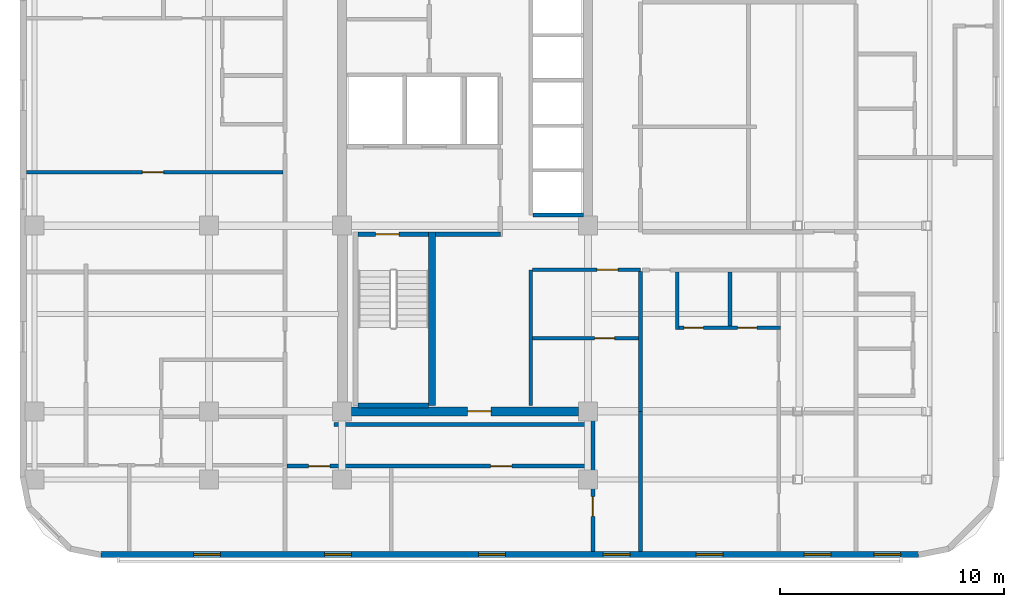
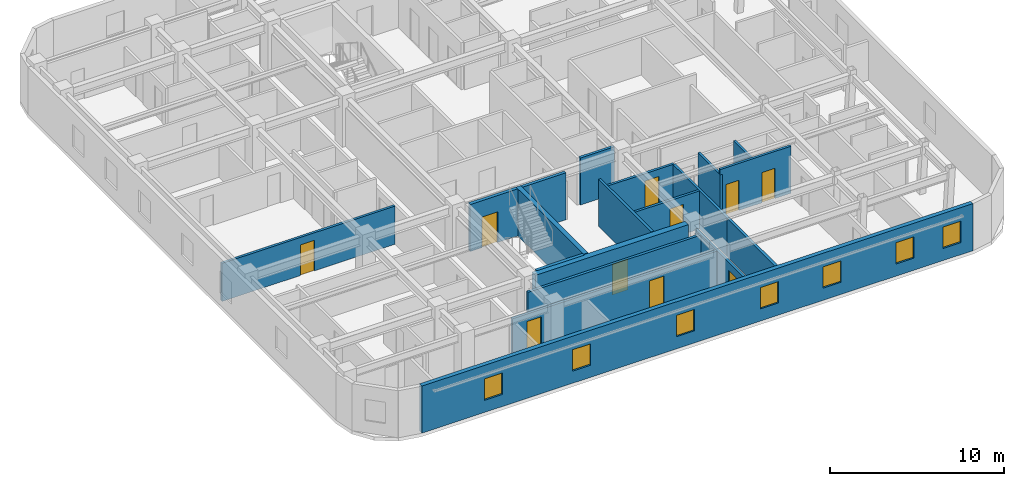
# One storey, part 3 of 11: 19 walls, 10 doors, 7 windows, 17 openings.
"""IFC4 building model written with IfcOpenShell, lengths in metres."""

import ifcopenshell
import ifcopenshell.guid

model = None  # the IFC model being written
_history = None  # IfcOwnerHistory: only IFC2X3 demands one
_inside = {}  # id of a spatial element -> (the spatial element, [elements in it])
_under = {}  # id of a project, library or spatial element -> (it, [spatial elements below it])
_declared = {}  # id of a project -> (the project, [libraries it declares])
_typed = {}  # id of a type object -> (the type object, [elements of that type])
_made_of = {}  # id of a material, layer set ... -> (it, [elements and type objects made of it])


def new_model(schema):
    """Start an empty IFC model of exactly this schema.

    Asked for "IFC4X3", IfcOpenShell would pick the latest addendum, in which some entities
    have other attributes; the version numbers below select the first issue.
    IFC2X3 requires an IfcOwnerHistory on every rooted entity: one is made here for all.
    """
    global model, _history
    if schema == "IFC4X3":
        model = ifcopenshell.file(schema_version=(4, 3, 0, 0))
    else:
        model = ifcopenshell.file(schema=schema)
    _inside.clear()
    _under.clear()
    _declared.clear()
    _typed.clear()
    _made_of.clear()
    _history = None
    if model.schema == "IFC2X3":
        org = make("IfcOrganization", Name="unknown")
        user = make(
            "IfcPersonAndOrganization",
            ThePerson=make("IfcPerson", FamilyName="unknown"),
            TheOrganization=org,
        )
        app = make(
            "IfcApplication",
            ApplicationDeveloper=org,
            Version="unknown",
            ApplicationFullName="unknown",
            ApplicationIdentifier="unknown",
        )
        _history = make(
            "IfcOwnerHistory",
            OwningUser=user,
            OwningApplication=app,
            ChangeAction="ADDED",
            CreationDate=0,
        )
    return model


def make(cls, **values):
    """One entity of the class cls with the attributes given. An attribute that is None is left unset."""
    return model.create_entity(
        cls, **{name: value for name, value in values.items() if value is not None}
    )


def rooted(cls, **values):
    """An entity with a GlobalId (a new one), such as an element, a storey or a relation."""
    return make(cls, GlobalId=ifcopenshell.guid.new(), OwnerHistory=_history, **values)


def si_unit(unit_type, name, prefix=None):
    """IfcSIUnit, for example si_unit("LENGTHUNIT", "METRE", prefix="MILLI")."""
    return make("IfcSIUnit", UnitType=unit_type, Prefix=prefix, Name=name)


def assignment(units):
    """IfcUnitAssignment: the units of a project."""
    return None if units is None else make("IfcUnitAssignment", Units=units)


def point(xyz):
    """IfcCartesianPoint."""
    return None if xyz is None else make("IfcCartesianPoint", Coordinates=xyz)


def direction(xyz):
    """IfcDirection."""
    return None if xyz is None else make("IfcDirection", DirectionRatios=xyz)


def frame(location, z_axis=None, x_axis=None):
    """IfcAxis2Placement3D, a coordinate frame: its origin and axes. An axis left out is left unset."""
    return make(
        "IfcAxis2Placement3D",
        Location=point(location),
        Axis=direction(z_axis),
        RefDirection=direction(x_axis),
    )


def frame_2d(location, x_axis=None):
    """IfcAxis2Placement2D, a coordinate frame in the plane: its origin and x axis."""
    return make(
        "IfcAxis2Placement2D", Location=point(location), RefDirection=direction(x_axis)
    )


def origin():
    """The frame at (0, 0, 0) with its axes left unset."""
    return frame((0.0, 0.0, 0.0))


def place(relative_to, where):
    """IfcLocalPlacement: puts the frame where relative to a parent placement (None: the world)."""
    return make(
        "IfcLocalPlacement", PlacementRelTo=relative_to, RelativePlacement=where
    )


def context(
    kind, dimensions, precision=None, world=None, true_north=None, identifier=None
):
    """IfcGeometricRepresentationContext, for example the 3D "Model" context."""
    return make(
        "IfcGeometricRepresentationContext",
        ContextIdentifier=identifier,
        ContextType=kind,
        CoordinateSpaceDimension=dimensions,
        Precision=precision,
        WorldCoordinateSystem=world,
        TrueNorth=true_north,
    )


def subcontext(parent, identifier, kind, view, scale=None):
    """IfcGeometricRepresentationSubContext, for example "Body" below "Model"."""
    return make(
        "IfcGeometricRepresentationSubContext",
        ContextIdentifier=identifier,
        ContextType=kind,
        ParentContext=parent,
        TargetScale=scale,
        TargetView=view,
    )


def project(units=None, contexts=None):
    """IfcProject with its units and contexts."""
    return rooted(
        "IfcProject",
        Name="project",
        RepresentationContexts=contexts,
        UnitsInContext=assignment(units),
    )


def spatial(cls, under=None, at=None, **own):
    """A site, building, storey or space (cls), placed at a placement, below another one or the project."""
    s = rooted(cls, ObjectPlacement=at, **own)
    if under is not None:
        _under.setdefault(under.id(), (under, []))[1].append(s)
    return s


def profile(cls, at=None, kind="AREA", **sizes):
    """A parametric profile (cls). Its sizes go by their IFC names, for example OverallWidth=200.0."""
    return make(cls, ProfileType=kind, Position=at, **sizes)


def rectangle(**sizes):
    """IfcRectangleProfileDef."""
    return profile("IfcRectangleProfileDef", **sizes)


def extrude(swept, where, along, depth):
    """IfcExtrudedAreaSolid: the profile swept, set in the frame where, extruded along a direction by depth."""
    return make(
        "IfcExtrudedAreaSolid",
        SweptArea=swept,
        Position=where,
        ExtrudedDirection=direction(along),
        Depth=depth,
    )


def shape(context_of_items, identifier, shape_type, items):
    """IfcShapeRepresentation: the items that make up one representation, for example the "Body"."""
    return make(
        "IfcShapeRepresentation",
        ContextOfItems=context_of_items,
        RepresentationIdentifier=identifier,
        RepresentationType=shape_type,
        Items=items,
    )


def material(Name=None, Category=None):
    """IfcMaterial."""
    return make("IfcMaterial", Name=Name, Category=Category)


def layer(
    of_material, thickness, ventilated=None, Name=None, Category=None, Priority=None
):
    """IfcMaterialLayer: one layer of a wall or slab, of a material (None: an air gap)."""
    return make(
        "IfcMaterialLayer",
        Material=of_material,
        LayerThickness=thickness,
        IsVentilated=ventilated,
        Name=Name,
        Category=Category,
        Priority=Priority,
    )


def layer_set(layers, Name=None):
    """IfcMaterialLayerSet."""
    return make("IfcMaterialLayerSet", MaterialLayers=layers, LayerSetName=Name)


def made_of(thing, what):
    """Note that an element or type object is made of a material, layer set ...; save() writes the relation."""
    if what is not None:
        _made_of.setdefault(what.id(), (what, []))[1].append(thing)
    return thing


def type_object(cls, material=None, **own):
    """A type object (cls), such as IfcWallType, which elements share."""
    return made_of(rooted(cls, **own), material)


def element(
    cls,
    number,
    at=None,
    inside=None,
    cuts=None,
    type_object=None,
    material=None,
    context=None,
    identifier="Body",
    shape_type=None,
    held_by="IfcProductDefinitionShape",
    body=None,
    shapes=None,
    **own,
):
    """One element of the class cls, such as IfcWall. Its Tag is "e" and its number.

    at: its placement. inside: the storey or other place that contains it. cuts: it is an
    opening in that element (IfcRelVoidsElement). A single representation is given by context,
    identifier, shape_type and body (its items); several are given by shapes. held_by: the class
    of the entity that holds the representations. save() writes the other relations.
    """
    e = rooted(cls, Tag="e%d" % number, ObjectPlacement=at, **own)
    if body is not None:
        shapes = [shape(context, identifier, shape_type, body)]
    if shapes is not None:
        e.Representation = make(held_by, Representations=shapes)
    if inside is not None:
        _inside.setdefault(inside.id(), (inside, []))[1].append(e)
    if cuts is not None:
        rooted(
            "IfcRelVoidsElement", RelatingBuildingElement=cuts, RelatedOpeningElement=e
        )
    if type_object is not None:
        _typed.setdefault(type_object.id(), (type_object, []))[1].append(e)
    return made_of(e, material)


def fill(opening, filler):
    """IfcRelFillsElement: the door or window that sits in an opening."""
    return rooted(
        "IfcRelFillsElement",
        RelatingOpeningElement=opening,
        RelatedBuildingElement=filler,
    )


def aggregate(whole, parts):
    """IfcRelAggregates: a whole, such as a stair, and the parts it consists of."""
    return rooted("IfcRelAggregates", RelatingObject=whole, RelatedObjects=parts)


def save(model, path):
    """Write the relations noted so far, then the file.

    IfcRelAggregates (storeys below a building ...), IfcRelContainedInSpatialStructure (elements
    in a storey), IfcRelDefinesByType, IfcRelAssociatesMaterial and IfcRelDeclares: one each for
    every whole, place, type object, material and project.
    """
    for whole, parts in _under.values():
        aggregate(whole, parts)
    for where, things in _inside.values():
        rooted(
            "IfcRelContainedInSpatialStructure",
            RelatedElements=things,
            RelatingStructure=where,
        )
    for kind, things in _typed.values():
        rooted("IfcRelDefinesByType", RelatedObjects=things, RelatingType=kind)
    for what, things in _made_of.values():
        rooted("IfcRelAssociatesMaterial", RelatedObjects=things, RelatingMaterial=what)
    for by, libraries in _declared.values():
        rooted("IfcRelDeclares", RelatingContext=by, RelatedDefinitions=libraries)
    model.write(path)


model = new_model("IFC4")

# Units and contexts
model_context = context("Model", 3, precision=1e-05, world=origin(), true_north=direction((0.0, 1.0)))
body_context = subcontext(model_context, "Body", "Model", "MODEL_VIEW")
ifc_project = project(units=[si_unit("LENGTHUNIT", "METRE"), si_unit("AREAUNIT", "SQUARE_METRE"), si_unit("VOLUMEUNIT", "CUBIC_METRE"), si_unit("PLANEANGLEUNIT", "RADIAN"), si_unit("MASSUNIT", "GRAM", prefix="KILO")], contexts=[model_context])

# Site, building, storey
site_placement = place(None, origin())
site = spatial("IfcSite", under=ifc_project, at=site_placement, CompositionType="ELEMENT")
building_placement = place(site_placement, origin())
building = spatial("IfcBuilding", under=site, at=building_placement, Name="Ochreholt Gables", CompositionType="ELEMENT")
storey_placement = place(building_placement, frame((0.0, 0.0, 132.0)))
storey = spatial("IfcBuildingStorey", under=building, at=storey_placement, Name="L34", CompositionType="ELEMENT", Elevation=132.0)

# Wall, opening, door
ifc_material_1 = material(Name="Concrete 60 MPa", Category="concrete")
ifc_layer_1 = layer(ifc_material_1, 0.39990234375, Name="Concrete 60 MPa")
ifc_layer_set_1 = layer_set([ifc_layer_1], Name="Concrete 60 MPa")
wall_type_1 = type_object("IfcWallType", Name="WALL-CSW-400", PredefinedType="SHEAR", material=ifc_layer_set_1)
wall_1_placement = place(storey_placement, frame((24.625, 9.25, 0.0), z_axis=(0.0, 0.0, 1.0), x_axis=(1.0, 0.0, 0.0)))
wall_1 = element("IfcWall", 1, at=wall_1_placement, inside=storey, type_object=wall_type_1, Name="L34 Core South Shear Wall", PredefinedType="SHEAR", context=body_context, shape_type="SweptSolid", body=[
    extrude(rectangle(XDim=10.14990234375, YDim=0.39990234375, at=frame_2d((5.074951171875, 0.0))), origin(), (0.0, 0.0, 1.0), 3.300048828125),
])
opening_1_placement = place(wall_1_placement, frame((5.199951171875, 0.0, 0.0)))
opening_1 = element("IfcOpeningElement", 2, at=opening_1_placement, cuts=wall_1, Name="Opening D-FLB", PredefinedType="OPENING", context=body_context, shape_type="SweptSolid", body=[
    extrude(rectangle(XDim=1.050048828125, YDim=2.14990234375, at=frame_2d((0.52490234375, 1.074951171875))), frame((0.0, 0.2099609375, 0.0), z_axis=(0.0, -1.0, 0.0), x_axis=(1.0, 0.0, 0.0)), (0.0, 0.0, 1.0), 0.419921875),
])
ifc_material_2 = material(Name="Hollow Metal Steel", Category="steel")
door_type_1 = type_object("IfcDoorType", Name="DR-INT-FLB1050", OperationType="NOTDEFINED", PredefinedType="DOOR", material=ifc_material_2)
door_1_placement = place(opening_1_placement, origin())
door_1 = element("IfcDoor", 3, at=door_1_placement, inside=storey, type_object=door_type_1, Name="L34 Door D-C2CRS-L34", OperationType="SINGLE_SWING_LEFT", OverallHeight=2.14990234375, OverallWidth=1.050048828125, PredefinedType="DOOR", context=body_context, shape_type="SweptSolid", body=[
    extrude(rectangle(XDim=1.050048828125, YDim=2.14990234375, at=frame_2d((0.52490234375, 1.074951171875))), frame((0.0, 0.02490234375, 0.0), z_axis=(0.0, -1.0, 0.0), x_axis=(1.0, 0.0, 0.0)), (0.0, 0.0, 1.0), 0.050048828125),
])
fill(opening_1, door_1)

# Wall, openings, windows
ifc_material_3 = material(Name="Precast concrete 40 MPa", Category="concrete")
ifc_layer_2 = layer(ifc_material_3, 0.280029296875, Name="Precast concrete 40 MPa")
ifc_layer_set_2 = layer_set([ifc_layer_2], Name="Precast concrete 40 MPa")
wall_type_2 = type_object("IfcWallType", Name="WALL-EXT-280", PredefinedType="SOLIDWALL", material=ifc_layer_set_2)
wall_2_placement = place(storey_placement, frame((13.419921875, 2.840087890625, 0.0), z_axis=(0.0, 0.0, 1.0), x_axis=(1.0, 0.0, 0.0)))
wall_2 = element("IfcWall", 4, at=wall_2_placement, inside=storey, type_object=wall_type_2, Name="L34 South Exterior Wall", PredefinedType="SOLIDWALL", context=body_context, shape_type="SweptSolid", body=[
    extrude(rectangle(XDim=36.56005859375, YDim=0.280029296875, at=frame_2d((18.280029296875, 0.0))), origin(), (0.0, 0.0, 1.0), 3.300048828125),
])
opening_2_placement = place(wall_2_placement, frame((4.14501953125, 0.0, 0.85009765625)))
opening_2 = element("IfcOpeningElement", 5, at=opening_2_placement, cuts=wall_2, Name="Opening WN-3", PredefinedType="OPENING", context=body_context, shape_type="SweptSolid", body=[
    extrude(rectangle(XDim=1.199951171875, YDim=1.5, at=frame_2d((0.60009765625, 0.75))), frame((0.0, 0.14990234375, 0.0), z_axis=(0.0, -1.0, 0.0), x_axis=(1.0, 0.0, 0.0)), (0.0, 0.0, 1.0), 0.300048828125),
])
opening_3_placement = place(wall_2_placement, frame((10.0048828125, 0.0, 0.85009765625)))
opening_3 = element("IfcOpeningElement", 6, at=opening_3_placement, cuts=wall_2, Name="Opening WN-3", PredefinedType="OPENING", context=body_context, shape_type="SweptSolid", body=[
    extrude(rectangle(XDim=1.199951171875, YDim=1.5, at=frame_2d((0.60009765625, 0.75))), frame((0.0, 0.14990234375, 0.0), z_axis=(0.0, -1.0, 0.0), x_axis=(1.0, 0.0, 0.0)), (0.0, 0.0, 1.0), 0.300048828125),
])
opening_4_placement = place(wall_2_placement, frame((16.889892578125, 0.0, 0.85009765625)))
opening_4 = element("IfcOpeningElement", 7, at=opening_4_placement, cuts=wall_2, Name="Opening WN-3", PredefinedType="OPENING", context=body_context, shape_type="SweptSolid", body=[
    extrude(rectangle(XDim=1.199951171875, YDim=1.5, at=frame_2d((0.60009765625, 0.75))), frame((0.0, 0.14990234375, 0.0), z_axis=(0.0, -1.0, 0.0), x_axis=(1.0, 0.0, 0.0)), (0.0, 0.0, 1.0), 0.300048828125),
])
opening_5_placement = place(wall_2_placement, frame((22.465087890625, 0.0, 0.85009765625)))
opening_5 = element("IfcOpeningElement", 8, at=opening_5_placement, cuts=wall_2, Name="Opening WN-3", PredefinedType="OPENING", context=body_context, shape_type="SweptSolid", body=[
    extrude(rectangle(XDim=1.199951171875, YDim=1.5, at=frame_2d((0.60009765625, 0.75))), frame((0.0, 0.14990234375, 0.0), z_axis=(0.0, -1.0, 0.0), x_axis=(1.0, 0.0, 0.0)), (0.0, 0.0, 1.0), 0.300048828125),
])
opening_6_placement = place(wall_2_placement, frame((26.625, 0.0, 0.85009765625)))
opening_6 = element("IfcOpeningElement", 9, at=opening_6_placement, cuts=wall_2, Name="Opening WN-3", PredefinedType="OPENING", context=body_context, shape_type="SweptSolid", body=[
    extrude(rectangle(XDim=1.199951171875, YDim=1.5, at=frame_2d((0.60009765625, 0.75))), frame((0.0, 0.14990234375, 0.0), z_axis=(0.0, -1.0, 0.0), x_axis=(1.0, 0.0, 0.0)), (0.0, 0.0, 1.0), 0.300048828125),
])
opening_7_placement = place(wall_2_placement, frame((31.449951171875, 0.0, 0.85009765625)))
opening_7 = element("IfcOpeningElement", 10, at=opening_7_placement, cuts=wall_2, Name="Opening WN-3", PredefinedType="OPENING", context=body_context, shape_type="SweptSolid", body=[
    extrude(rectangle(XDim=1.199951171875, YDim=1.5, at=frame_2d((0.60009765625, 0.75))), frame((0.0, 0.14990234375, 0.0), z_axis=(0.0, -1.0, 0.0), x_axis=(1.0, 0.0, 0.0)), (0.0, 0.0, 1.0), 0.300048828125),
])
opening_8_placement = place(wall_2_placement, frame((34.570068359375, 0.0, 0.85009765625)))
opening_8 = element("IfcOpeningElement", 11, at=opening_8_placement, cuts=wall_2, Name="Opening WN-3", PredefinedType="OPENING", context=body_context, shape_type="SweptSolid", body=[
    extrude(rectangle(XDim=1.199951171875, YDim=1.5, at=frame_2d((0.60009765625, 0.75))), frame((0.0, 0.14990234375, 0.0), z_axis=(0.0, -1.0, 0.0), x_axis=(1.0, 0.0, 0.0)), (0.0, 0.0, 1.0), 0.300048828125),
])
ifc_material_4 = material(Name="Triple-Glazed Thermally Broken Aluminium Window", Category="aluminium")
window_type = type_object("IfcWindowType", Name="WIN-RES-1200", PartitioningType="SINGLE_PANEL", PredefinedType="WINDOW", material=ifc_material_4)
window_1_placement = place(opening_2_placement, origin())
window_1 = element("IfcWindow", 12, at=window_1_placement, inside=storey, type_object=window_type, Name="L34 Window W-EXT-S-L34-1", OverallHeight=1.5, OverallWidth=1.199951171875, PartitioningType="SINGLE_PANEL", PredefinedType="WINDOW", context=body_context, shape_type="SweptSolid", body=[
    extrude(rectangle(XDim=1.199951171875, YDim=1.5, at=frame_2d((0.60009765625, 0.75))), frame((0.0, 0.030029296875, 0.0), z_axis=(0.0, -1.0, 0.0), x_axis=(1.0, 0.0, 0.0)), (0.0, 0.0, 1.0), 0.06005859375),
])
fill(opening_2, window_1)
window_2_placement = place(opening_3_placement, origin())
window_2 = element("IfcWindow", 13, at=window_2_placement, inside=storey, type_object=window_type, Name="L34 Window W-EXT-S-L34-2", OverallHeight=1.5, OverallWidth=1.199951171875, PartitioningType="SINGLE_PANEL", PredefinedType="WINDOW", context=body_context, shape_type="SweptSolid", body=[
    extrude(rectangle(XDim=1.199951171875, YDim=1.5, at=frame_2d((0.60009765625, 0.75))), frame((0.0, 0.030029296875, 0.0), z_axis=(0.0, -1.0, 0.0), x_axis=(1.0, 0.0, 0.0)), (0.0, 0.0, 1.0), 0.06005859375),
])
fill(opening_3, window_2)
window_3_placement = place(opening_4_placement, origin())
window_3 = element("IfcWindow", 14, at=window_3_placement, inside=storey, type_object=window_type, Name="L34 Window W-EXT-S-L34-3", OverallHeight=1.5, OverallWidth=1.199951171875, PartitioningType="SINGLE_PANEL", PredefinedType="WINDOW", context=body_context, shape_type="SweptSolid", body=[
    extrude(rectangle(XDim=1.199951171875, YDim=1.5, at=frame_2d((0.60009765625, 0.75))), frame((0.0, 0.030029296875, 0.0), z_axis=(0.0, -1.0, 0.0), x_axis=(1.0, 0.0, 0.0)), (0.0, 0.0, 1.0), 0.06005859375),
])
fill(opening_4, window_3)
window_4_placement = place(opening_5_placement, origin())
window_4 = element("IfcWindow", 15, at=window_4_placement, inside=storey, type_object=window_type, Name="L34 Window W-EXT-S-L34-4", OverallHeight=1.5, OverallWidth=1.199951171875, PartitioningType="SINGLE_PANEL", PredefinedType="WINDOW", context=body_context, shape_type="SweptSolid", body=[
    extrude(rectangle(XDim=1.199951171875, YDim=1.5, at=frame_2d((0.60009765625, 0.75))), frame((0.0, 0.030029296875, 0.0), z_axis=(0.0, -1.0, 0.0), x_axis=(1.0, 0.0, 0.0)), (0.0, 0.0, 1.0), 0.06005859375),
])
fill(opening_5, window_4)
window_5_placement = place(opening_6_placement, origin())
window_5 = element("IfcWindow", 16, at=window_5_placement, inside=storey, type_object=window_type, Name="L34 Window W-EXT-S-L34-5", OverallHeight=1.5, OverallWidth=1.199951171875, PartitioningType="SINGLE_PANEL", PredefinedType="WINDOW", context=body_context, shape_type="SweptSolid", body=[
    extrude(rectangle(XDim=1.199951171875, YDim=1.5, at=frame_2d((0.60009765625, 0.75))), frame((0.0, 0.030029296875, 0.0), z_axis=(0.0, -1.0, 0.0), x_axis=(1.0, 0.0, 0.0)), (0.0, 0.0, 1.0), 0.06005859375),
])
fill(opening_6, window_5)
window_6_placement = place(opening_7_placement, origin())
window_6 = element("IfcWindow", 17, at=window_6_placement, inside=storey, type_object=window_type, Name="L34 Window W-EXT-S-L34-6", OverallHeight=1.5, OverallWidth=1.199951171875, PartitioningType="SINGLE_PANEL", PredefinedType="WINDOW", context=body_context, shape_type="SweptSolid", body=[
    extrude(rectangle(XDim=1.199951171875, YDim=1.5, at=frame_2d((0.60009765625, 0.75))), frame((0.0, 0.030029296875, 0.0), z_axis=(0.0, -1.0, 0.0), x_axis=(1.0, 0.0, 0.0)), (0.0, 0.0, 1.0), 0.06005859375),
])
fill(opening_7, window_6)
window_7_placement = place(opening_8_placement, origin())
window_7 = element("IfcWindow", 18, at=window_7_placement, inside=storey, type_object=window_type, Name="L34 Window W-EXT-S-L34-7", OverallHeight=1.5, OverallWidth=1.199951171875, PartitioningType="SINGLE_PANEL", PredefinedType="WINDOW", context=body_context, shape_type="SweptSolid", body=[
    extrude(rectangle(XDim=1.199951171875, YDim=1.5, at=frame_2d((0.60009765625, 0.75))), frame((0.0, 0.030029296875, 0.0), z_axis=(0.0, -1.0, 0.0), x_axis=(1.0, 0.0, 0.0)), (0.0, 0.0, 1.0), 0.06005859375),
])
fill(opening_8, window_7)

# Wall
ifc_material_5 = material(Name="Concrete 40 MPa", Category="concrete")
ifc_layer_3 = layer(ifc_material_5, 0.199951171875, Name="Concrete 40 MPa")
ifc_layer_set_3 = layer_set([ifc_layer_3], Name="Concrete 40 MPa")
wall_type_3 = type_object("IfcWallType", Name="WALL-INT-CF200", PredefinedType="STANDARD", material=ifc_layer_set_3)
wall_3_placement = place(storey_placement, frame((28.3798828125, 17.169921875, 0.0), z_axis=(0.0, 0.0, 1.0), x_axis=(1.0, 0.0, 0.0)))
element("IfcWall", 19, at=wall_3_placement, inside=storey, type_object=wall_type_3, Name="L34 Interior Wall WI-FFS-L34", PredefinedType="STANDARD", context=body_context, shape_type="SweptSolid", body=[
    extrude(rectangle(XDim=2.900146484375, YDim=0.199951171875, at=frame_2d((1.4501953125, 0.0))), origin(), (0.0, 0.0, 1.0), 3.300048828125),
])

# Wall, openings, doors
ifc_material_6 = material(Name="Fire-Rated Gypsum Acoustic Partition", Category="gypsum")
ifc_layer_4 = layer(ifc_material_6, 0.179931640625, Name="Fire-Rated Gypsum Acoustic Partition")
ifc_layer_set_4 = layer_set([ifc_layer_4], Name="Fire-Rated Gypsum Acoustic Partition")
wall_type_4 = type_object("IfcWallType", Name="WALL-INT-CR180", PredefinedType="STANDARD", material=ifc_layer_set_4)
wall_4_placement = place(storey_placement, frame((21.739990234375, 6.800048828125, 0.0), z_axis=(0.0, 0.0, 1.0), x_axis=(1.0, 0.0, 0.0)))
wall_4 = element("IfcWall", 20, at=wall_4_placement, inside=storey, type_object=wall_type_4, Name="L34 Interior Wall WI-C2WCS-L34", PredefinedType="STANDARD", context=body_context, shape_type="SweptSolid", body=[
    extrude(rectangle(XDim=13.679931640625, YDim=0.179931640625, at=frame_2d((6.83984375, 0.0))), origin(), (0.0, 0.0, 1.0), 2.6708984375),
])
opening_9_placement = place(wall_4_placement, frame((0.969970703125, 0.0, 0.0)))
opening_9 = element("IfcOpeningElement", 21, at=opening_9_placement, cuts=wall_4, Name="Opening D-GN1", PredefinedType="OPENING", context=body_context, shape_type="SweptSolid", body=[
    extrude(rectangle(XDim=0.949951171875, YDim=2.14990234375, at=frame_2d((0.47509765625, 1.074951171875))), frame((0.0, 0.099853515625, 0.0), z_axis=(0.0, -1.0, 0.0), x_axis=(1.0, 0.0, 0.0)), (0.0, 0.0, 1.0), 0.199951171875),
])
opening_10_placement = place(wall_4_placement, frame((9.110107421875, 0.0, 0.0)))
opening_10 = element("IfcOpeningElement", 22, at=opening_10_placement, cuts=wall_4, Name="Opening D-GN1", PredefinedType="OPENING", context=body_context, shape_type="SweptSolid", body=[
    extrude(rectangle(XDim=0.949951171875, YDim=2.14990234375, at=frame_2d((0.47509765625, 1.074951171875))), frame((0.0, 0.099853515625, 0.0), z_axis=(0.0, -1.0, 0.0), x_axis=(1.0, 0.0, 0.0)), (0.0, 0.0, 1.0), 0.199951171875),
])
ifc_material_7 = material(Name="Engineered Oak Timber", Category="wood")
door_type_2 = type_object("IfcDoorType", Name="DR-INT-GEN950", OperationType="NOTDEFINED", PredefinedType="DOOR", material=ifc_material_7)
door_2_placement = place(opening_9_placement, origin())
door_2 = element("IfcDoor", 23, at=door_2_placement, inside=storey, type_object=door_type_2, Name="L34 Door D-C2STL1-L34", OperationType="SINGLE_SWING_LEFT", OverallHeight=2.14990234375, OverallWidth=0.949951171875, PredefinedType="DOOR", context=body_context, shape_type="SweptSolid", body=[
    extrude(rectangle(XDim=0.949951171875, YDim=2.14990234375, at=frame_2d((0.47509765625, 1.074951171875))), frame((0.0, 0.02490234375, 0.0), z_axis=(0.0, -1.0, 0.0), x_axis=(1.0, 0.0, 0.0)), (0.0, 0.0, 1.0), 0.050048828125),
])
fill(opening_9, door_2)
door_3_placement = place(opening_10_placement, origin())
door_3 = element("IfcDoor", 24, at=door_3_placement, inside=storey, type_object=door_type_2, Name="L34 Door D-C2STL2-L34", OperationType="SINGLE_SWING_RIGHT", OverallHeight=2.14990234375, OverallWidth=0.949951171875, PredefinedType="DOOR", context=body_context, shape_type="SweptSolid", body=[
    extrude(rectangle(XDim=0.949951171875, YDim=2.14990234375, at=frame_2d((0.47509765625, 1.074951171875))), frame((0.0, 0.02490234375, 0.0), z_axis=(0.0, -1.0, 0.0), x_axis=(1.0, 0.0, 0.0)), (0.0, 0.0, 1.0), 0.050048828125),
])
fill(opening_10, door_3)

# Wall
wall_5_placement = place(storey_placement, frame((23.85009765625, 8.64990234375, 0.0), z_axis=(0.0, 0.0, 1.0), x_axis=(1.0, 0.0, 0.0)))
element("IfcWall", 25, at=wall_5_placement, inside=storey, type_object=wall_type_4, Name="L34 Interior Wall WI-C2WCS2-L34", PredefinedType="STANDARD", context=body_context, shape_type="SweptSolid", body=[
    extrude(rectangle(XDim=11.56982421875, YDim=0.179931640625, at=frame_2d((5.784912109375, 0.0))), origin(), (0.0, 0.0, 1.0), 2.6708984375),
])

# Wall, opening, door
ifc_material_8 = material(Name="Double-Stud Acoustic Demising Wall", Category="gypsum")
ifc_layer_5 = layer(ifc_material_8, 0.179931640625, Name="Double-Stud Acoustic Demising Wall")
ifc_layer_set_5 = layer_set([ifc_layer_5], Name="Double-Stud Acoustic Demising Wall")
wall_type_5 = type_object("IfcWallType", Name="WALL-INT-DM180", PredefinedType="PARTITIONING", material=ifc_layer_set_5)
wall_6_placement = place(storey_placement, frame((35.419921875, 2.97998046875, 0.0), z_axis=(0.0, 0.0, 1.0), x_axis=(0.0, 1.0, 0.0)))
wall_6 = element("IfcWall", 26, at=wall_6_placement, inside=storey, type_object=wall_type_5, Name="L34 Interior Wall WI-C2SES-L34", PredefinedType="PARTITIONING", context=body_context, shape_type="SweptSolid", body=[
    extrude(rectangle(XDim=6.27001953125, YDim=0.179931640625, at=frame_2d((3.135009765625, 0.0))), origin(), (0.0, 0.0, 1.0), 2.6708984375),
])
opening_11_placement = place(wall_6_placement, frame((1.570068359375, 0.0, 0.0)))
opening_11 = element("IfcOpeningElement", 27, at=opening_11_placement, cuts=wall_6, Name="Opening D-GN2", PredefinedType="OPENING", context=body_context, shape_type="SweptSolid", body=[
    extrude(rectangle(XDim=0.8798828125, YDim=2.1201171875, at=frame_2d((0.43994140625, 1.06005859375))), frame((0.0, 0.099853515625, 0.0), z_axis=(0.0, -1.0, 0.0), x_axis=(1.0, 0.0, 0.0)), (0.0, 0.0, 1.0), 0.199951171875),
])
door_type_3 = type_object("IfcDoorType", Name="DR-INT-GEN880", OperationType="NOTDEFINED", PredefinedType="DOOR", material=ifc_material_7)
door_4_placement = place(opening_11_placement, origin())
door_4 = element("IfcDoor", 28, at=door_4_placement, inside=storey, type_object=door_type_3, Name="L34 Door D-C2SPS-L34", OperationType="SINGLE_SWING_LEFT", OverallHeight=2.1201171875, OverallWidth=0.8798828125, PredefinedType="DOOR", context=body_context, shape_type="SweptSolid", body=[
    extrude(rectangle(XDim=0.8798828125, YDim=2.1201171875, at=frame_2d((0.43994140625, 1.06005859375))), frame((0.0, 0.02490234375, 0.0), z_axis=(0.0, -1.0, 0.0), x_axis=(1.0, 0.0, 0.0)), (0.0, 0.0, 1.0), 0.050048828125),
])
fill(opening_11, door_4)

# Wall
wall_7_placement = place(storey_placement, frame((37.550048828125, 2.97998046875, 0.0), z_axis=(0.0, 0.0, 1.0), x_axis=(0.0, 1.0, 0.0)))
element("IfcWall", 29, at=wall_7_placement, inside=storey, type_object=wall_type_5, Name="L34 Interior Wall WI-C2SEW2-L34", PredefinedType="PARTITIONING", context=body_context, shape_type="SweptSolid", body=[
    extrude(rectangle(XDim=6.27001953125, YDim=0.179931640625, at=frame_2d((3.135009765625, 0.0))), origin(), (0.0, 0.0, 1.0), 2.6708984375),
])

# Wall, openings, doors
ifc_material_9 = material(Name="Moisture-Resistant Plumbing Chase Wall", Category="gypsum")
ifc_layer_6 = layer(ifc_material_9, 0.159912109375, Name="Moisture-Resistant Plumbing Chase Wall")
ifc_layer_set_6 = layer_set([ifc_layer_6], Name="Moisture-Resistant Plumbing Chase Wall")
wall_type_6 = type_object("IfcWallType", Name="WALL-INT-PL160", PredefinedType="PLUMBINGWALL", material=ifc_layer_set_6)
wall_8_placement = place(storey_placement, frame((39.110107421875, 12.992431640625, 0.0), z_axis=(0.0, 0.0, 1.0), x_axis=(1.0, 0.0, 0.0)))
wall_8 = element("IfcWall", 30, at=wall_8_placement, inside=storey, type_object=wall_type_6, Name="L34 Interior Wall WU-L34S1-WY", PredefinedType="PLUMBINGWALL", context=body_context, shape_type="SweptSolid", body=[
    extrude(rectangle(XDim=4.7099609375, YDim=0.159912109375, at=frame_2d((2.35498046875, 0.0))), origin(), (0.0, 0.0, 1.0), 3.300048828125),
])
opening_12_placement = place(wall_8_placement, frame((0.3798828125, 0.0, 0.0)))
opening_12 = element("IfcOpeningElement", 31, at=opening_12_placement, cuts=wall_8, Name="Opening D-GN2", PredefinedType="OPENING", context=body_context, shape_type="SweptSolid", body=[
    extrude(rectangle(XDim=0.8798828125, YDim=2.1201171875, at=frame_2d((0.43994140625, 1.06005859375))), frame((0.0, 0.08984375, 0.0), z_axis=(0.0, -1.0, 0.0), x_axis=(1.0, 0.0, 0.0)), (0.0, 0.0, 1.0), 0.179931640625),
])
opening_13_placement = place(wall_8_placement, frame((2.785888671875, 0.0, 0.0)))
opening_13 = element("IfcOpeningElement", 32, at=opening_13_placement, cuts=wall_8, Name="Opening D-BT1", PredefinedType="OPENING", context=body_context, shape_type="SweptSolid", body=[
    extrude(rectangle(XDim=0.860107421875, YDim=2.1201171875, at=frame_2d((0.43017578125, 1.06005859375))), frame((0.0, 0.08984375, 0.0), z_axis=(0.0, -1.0, 0.0), x_axis=(1.0, 0.0, 0.0)), (0.0, 0.0, 1.0), 0.179931640625),
])
door_type_4 = type_object("IfcDoorType", Name="DR-INT-BTH860", OperationType="NOTDEFINED", PredefinedType="DOOR", material=ifc_material_7)
door_5_placement = place(opening_13_placement, origin())
door_5 = element("IfcDoor", 33, at=door_5_placement, inside=storey, type_object=door_type_4, Name="L34 Door D-U-L34S1-BTH", OperationType="SINGLE_SWING_RIGHT", OverallHeight=2.1201171875, OverallWidth=0.860107421875, PredefinedType="DOOR", context=body_context, shape_type="SweptSolid", body=[
    extrude(rectangle(XDim=0.860107421875, YDim=2.1201171875, at=frame_2d((0.43017578125, 1.06005859375))), frame((0.0, 0.02490234375, 0.0), z_axis=(0.0, -1.0, 0.0), x_axis=(1.0, 0.0, 0.0)), (0.0, 0.0, 1.0), 0.050048828125),
])
fill(opening_13, door_5)
door_6_placement = place(opening_12_placement, origin())
door_6 = element("IfcDoor", 34, at=door_6_placement, inside=storey, type_object=door_type_3, Name="L34 Door D-U-L34S1-KIT", OperationType="SINGLE_SWING_LEFT", OverallHeight=2.1201171875, OverallWidth=0.8798828125, PredefinedType="DOOR", context=body_context, shape_type="SweptSolid", body=[
    extrude(rectangle(XDim=0.8798828125, YDim=2.1201171875, at=frame_2d((0.43994140625, 1.06005859375))), frame((0.0, 0.02490234375, 0.0), z_axis=(0.0, -1.0, 0.0), x_axis=(1.0, 0.0, 0.0)), (0.0, 0.0, 1.0), 0.050048828125),
])
fill(opening_12, door_6)

# Walls
wall_9_placement = place(storey_placement, frame((39.18994140625, 12.91259765625, 0.0), z_axis=(0.0, 0.0, 1.0), x_axis=(0.0, 1.0, 0.0)))
element("IfcWall", 35, at=wall_9_placement, inside=storey, type_object=wall_type_6, Name="L34 Interior Wall WU-L34S1-FY", PredefinedType="PLUMBINGWALL", context=body_context, shape_type="SweptSolid", body=[
    extrude(rectangle(XDim=2.577392578125, YDim=0.159912109375, at=frame_2d((1.28857421875, 0.0))), origin(), (0.0, 0.0, 1.0), 2.927978515625),
])
wall_10_placement = place(storey_placement, frame((41.555908203125, 13.072509765625, 0.0), z_axis=(0.0, 0.0, 1.0), x_axis=(0.0, 1.0, 0.0)))
element("IfcWall", 36, at=wall_10_placement, inside=storey, type_object=wall_type_6, Name="L34 Interior Wall WU-L34S1-WK", PredefinedType="PLUMBINGWALL", context=body_context, shape_type="SweptSolid", body=[
    extrude(rectangle(XDim=2.41748046875, YDim=0.159912109375, at=frame_2d((1.208740234375, 0.0))), origin(), (0.0, 0.0, 1.0), 2.927978515625),
])
ifc_material_10 = material(Name="Gypsum Acoustic Stud Partition", Category="gypsum")
ifc_layer_7 = layer(ifc_material_10, 0.1650390625, Name="Gypsum Acoustic Stud Partition")
ifc_layer_set_7 = layer_set([ifc_layer_7], Name="Gypsum Acoustic Stud Partition")
wall_type_7 = type_object("IfcWallType", Name="WALL-INT-PT165", PredefinedType="PARTITIONING", material=ifc_layer_set_7)
wall_11_placement = place(storey_placement, frame((32.64990234375, 9.5, 0.0), z_axis=(0.0, 0.0, 1.0), x_axis=(0.0, 1.0, 0.0)))
element("IfcWall", 37, at=wall_11_placement, inside=storey, type_object=wall_type_7, Name="L34 Interior Wall WI-RCL-W-L34", PredefinedType="PARTITIONING", context=body_context, shape_type="SweptSolid", body=[
    extrude(rectangle(XDim=6.080078125, YDim=0.1650390625, at=frame_2d((3.0400390625, 0.0))), origin(), (0.0, 0.0, 1.0), 3.300048828125),
])

# Wall, opening, door
wall_12_placement = place(storey_placement, frame((32.732421875, 15.580078125, 0.0), z_axis=(0.0, 0.0, 1.0), x_axis=(1.0, 0.0, 0.0)))
wall_12 = element("IfcWall", 38, at=wall_12_placement, inside=storey, type_object=wall_type_7, Name="L34 Interior Wall WI-RCL-N-L34", PredefinedType="PARTITIONING", context=body_context, shape_type="SweptSolid", body=[
    extrude(rectangle(XDim=4.817626953125, YDim=0.1650390625, at=frame_2d((2.40869140625, 0.0))), origin(), (0.0, 0.0, 1.0), 2.6708984375),
])
opening_14_placement = place(wall_12_placement, frame((2.867431640625, 0.0, 0.0)))
opening_14 = element("IfcOpeningElement", 39, at=opening_14_placement, cuts=wall_12, Name="Opening D-GN1", PredefinedType="OPENING", context=body_context, shape_type="SweptSolid", body=[
    extrude(rectangle(XDim=0.949951171875, YDim=2.14990234375, at=frame_2d((0.47509765625, 1.074951171875))), frame((0.0, 0.092529296875, 0.0), z_axis=(0.0, -1.0, 0.0), x_axis=(1.0, 0.0, 0.0)), (0.0, 0.0, 1.0), 0.18505859375),
])
door_7_placement = place(opening_14_placement, origin())
door_7 = element("IfcDoor", 40, at=door_7_placement, inside=storey, type_object=door_type_2, Name="L34 Door D-RCL-L34", OperationType="SINGLE_SWING_LEFT", OverallHeight=2.14990234375, OverallWidth=0.949951171875, PredefinedType="DOOR", context=body_context, shape_type="SweptSolid", body=[
    extrude(rectangle(XDim=0.949951171875, YDim=2.14990234375, at=frame_2d((0.47509765625, 1.074951171875))), frame((0.0, 0.02490234375, 0.0), z_axis=(0.0, -1.0, 0.0), x_axis=(1.0, 0.0, 0.0)), (0.0, 0.0, 1.0), 0.050048828125),
])
fill(opening_14, door_7)

# Wall
wall_13_placement = place(storey_placement, frame((37.550048828125, 9.25, 0.0), z_axis=(0.0, 0.0, 1.0), x_axis=(0.0, 1.0, 0.0)))
element("IfcWall", 41, at=wall_13_placement, inside=storey, type_object=wall_type_7, Name="L34 Interior Wall WI-RCL-E-L34", PredefinedType="PARTITIONING", context=body_context, shape_type="SweptSolid", body=[
    extrude(rectangle(XDim=6.24755859375, YDim=0.1650390625, at=frame_2d((3.123779296875, 0.0))), origin(), (0.0, 0.0, 1.0), 2.6708984375),
])

# Wall, opening, door
wall_14_placement = place(storey_placement, frame((32.732421875, 12.52001953125, 0.0), z_axis=(0.0, 0.0, 1.0), x_axis=(1.0, 0.0, 0.0)))
wall_14 = element("IfcWall", 42, at=wall_14_placement, inside=storey, type_object=wall_type_7, Name="L34 Interior Wall WI-RCL-DV-L34", PredefinedType="PARTITIONING", context=body_context, shape_type="SweptSolid", body=[
    extrude(rectangle(XDim=4.735107421875, YDim=0.1650390625, at=frame_2d((2.36767578125, 0.0))), origin(), (0.0, 0.0, 1.0), 2.6708984375),
])
opening_15_placement = place(wall_14_placement, frame((2.767578125, 0.0, 0.0)))
opening_15 = element("IfcOpeningElement", 43, at=opening_15_placement, cuts=wall_14, Name="Opening D-SV1", PredefinedType="OPENING", context=body_context, shape_type="SweptSolid", body=[
    extrude(rectangle(XDim=0.89990234375, YDim=2.10009765625, at=frame_2d((0.449951171875, 1.050048828125))), frame((0.0, 0.092529296875, 0.0), z_axis=(0.0, -1.0, 0.0), x_axis=(1.0, 0.0, 0.0)), (0.0, 0.0, 1.0), 0.18505859375),
])
door_type_5 = type_object("IfcDoorType", Name="DR-INT-SRV900", OperationType="NOTDEFINED", PredefinedType="DOOR", material=ifc_material_2)
door_8_placement = place(opening_15_placement, origin())
door_8 = element("IfcDoor", 44, at=door_8_placement, inside=storey, type_object=door_type_5, Name="L34 Door D-RCLI-L34", OperationType="SINGLE_SWING_RIGHT", OverallHeight=2.10009765625, OverallWidth=0.89990234375, PredefinedType="DOOR", context=body_context, shape_type="SweptSolid", body=[
    extrude(rectangle(XDim=0.89990234375, YDim=2.10009765625, at=frame_2d((0.449951171875, 1.050048828125))), frame((0.0, 0.02490234375, 0.0), z_axis=(0.0, -1.0, 0.0), x_axis=(1.0, 0.0, 0.0)), (0.0, 0.0, 1.0), 0.050048828125),
])
fill(opening_15, door_8)

wall_15_placement = place(storey_placement, frame((10.080078125, 19.94677734375, 0.0), z_axis=(0.0, 0.0, 1.0), x_axis=(1.0, 0.0, 0.0)))
wall_15 = element("IfcWall", 45, at=wall_15_placement, inside=storey, type_object=wall_type_7, Name="L34 Interior Wall WU-L34W2-DNW", PredefinedType="PARTITIONING", context=body_context, shape_type="SweptSolid", body=[
    extrude(rectangle(XDim=11.47998046875, YDim=0.1650390625, at=frame_2d((5.739990234375, 0.0))), origin(), (0.0, 0.0, 1.0), 2.6708984375),
])
opening_16_placement = place(wall_15_placement, frame((5.195068359375, 0.0, 0.0)))
opening_16 = element("IfcOpeningElement", 46, at=opening_16_placement, cuts=wall_15, Name="Opening D-GN1", PredefinedType="OPENING", context=body_context, shape_type="SweptSolid", body=[
    extrude(rectangle(XDim=0.949951171875, YDim=2.14990234375, at=frame_2d((0.47509765625, 1.074951171875))), frame((0.0, 0.092529296875, 0.0), z_axis=(0.0, -1.0, 0.0), x_axis=(1.0, 0.0, 0.0)), (0.0, 0.0, 1.0), 0.18505859375),
])
door_9_placement = place(opening_16_placement, origin())
door_9 = element("IfcDoor", 47, at=door_9_placement, inside=storey, type_object=door_type_2, Name="L34 Door D-U-L34W2-DIN", OperationType="SINGLE_SWING_RIGHT", OverallHeight=2.14990234375, OverallWidth=0.949951171875, PredefinedType="DOOR", context=body_context, shape_type="SweptSolid", body=[
    extrude(rectangle(XDim=0.949951171875, YDim=2.14990234375, at=frame_2d((0.47509765625, 1.074951171875))), frame((0.0, 0.02490234375, 0.0), z_axis=(0.0, -1.0, 0.0), x_axis=(1.0, 0.0, 0.0)), (0.0, 0.0, 1.0), 0.050048828125),
])
fill(opening_16, door_9)

# Walls
ifc_material_11 = material(Name="Gypsum Shaftliner and Steel Stud", Category="steel")
ifc_layer_8 = layer(ifc_material_11, 0.179931640625, Name="Gypsum Shaftliner and Steel Stud")
ifc_layer_set_8 = layer_set([ifc_layer_8], Name="Gypsum Shaftliner and Steel Stud")
wall_type_8 = type_object("IfcWallType", Name="WALL-INT-SH180", PredefinedType="STANDARD", material=ifc_layer_set_8)
wall_16_placement = place(storey_placement, frame((32.739990234375, 18.02001953125, 0.0), z_axis=(0.0, 0.0, 1.0), x_axis=(1.0, 0.0, 0.0)))
element("IfcWall", 48, at=wall_16_placement, inside=storey, type_object=wall_type_8, Name="L34 Interior Wall WI-LFHE-S-L34", PredefinedType="STANDARD", context=body_context, shape_type="SweptSolid", body=[
    extrude(rectangle(XDim=2.260009765625, YDim=0.179931640625, at=frame_2d((1.1298828125, 0.0))), origin(), (0.0, 0.0, 1.0), 3.300048828125),
])
ifc_layer_9 = layer(ifc_material_1, 0.300048828125, Name="Concrete 60 MPa")
ifc_layer_set_9 = layer_set([ifc_layer_9], Name="Concrete 60 MPa")
wall_type_9 = type_object("IfcWallType", Name="WALL-SPN-300", PredefinedType="SHEAR", material=ifc_layer_set_9)
wall_17_placement = place(storey_placement, frame((28.22998046875, 9.5, 0.0), z_axis=(0.0, 0.0, 1.0), x_axis=(0.0, 1.0, 0.0)))
element("IfcWall", 49, at=wall_17_placement, inside=storey, type_object=wall_type_9, Name="L34 Core South Spine Shear Wall", PredefinedType="SHEAR", context=body_context, shape_type="SweptSolid", body=[
    extrude(rectangle(XDim=7.760009765625, YDim=0.300048828125, at=frame_2d((3.8798828125, 0.0))), origin(), (0.0, 0.0, 1.0), 3.300048828125),
])
ifc_material_12 = material(Name="Concrete 50 MPa", Category="concrete")
ifc_layer_10 = layer(ifc_material_12, 0.219970703125, Name="Concrete 50 MPa")
ifc_layer_set_10 = layer_set([ifc_layer_10], Name="Concrete 50 MPa")
wall_type_10 = type_object("IfcWallType", Name="WALL-STW-220", PredefinedType="SHEAR", material=ifc_layer_set_10)
wall_18_placement = place(storey_placement, frame((24.919921875, 9.510009765625, 0.0), z_axis=(0.0, 0.0, 1.0), x_axis=(1.0, 0.0, 0.0)))
element("IfcWall", 50, at=wall_18_placement, inside=storey, type_object=wall_type_10, Name="L34 Exit Stair 1 South Wall", PredefinedType="SHEAR", context=body_context, shape_type="SweptSolid", body=[
    extrude(rectangle(XDim=3.16015625, YDim=0.219970703125, at=frame_2d((1.580078125, 0.0))), origin(), (0.0, 0.0, 1.0), 3.300048828125),
])

# Wall, opening, door
wall_19_placement = place(storey_placement, frame((24.919921875, 17.169921875, 0.0), z_axis=(0.0, 0.0, 1.0), x_axis=(1.0, 0.0, 0.0)))
wall_19 = element("IfcWall", 51, at=wall_19_placement, inside=storey, type_object=wall_type_10, Name="L34 Exit Stair 1 North Wall", PredefinedType="SHEAR", context=body_context, shape_type="SweptSolid", body=[
    extrude(rectangle(XDim=3.16015625, YDim=0.219970703125, at=frame_2d((1.580078125, 0.0))), origin(), (0.0, 0.0, 1.0), 3.300048828125),
])
opening_17_placement = place(wall_19_placement, frame((0.780029296875, 0.0, 0.0)))
opening_17 = element("IfcOpeningElement", 52, at=opening_17_placement, cuts=wall_19, Name="Opening D-STC", PredefinedType="OPENING", context=body_context, shape_type="SweptSolid", body=[
    extrude(rectangle(XDim=1.050048828125, YDim=2.14990234375, at=frame_2d((0.52490234375, 1.074951171875))), frame((0.0, 0.119873046875, 0.0), z_axis=(0.0, -1.0, 0.0), x_axis=(1.0, 0.0, 0.0)), (0.0, 0.0, 1.0), 0.239990234375),
])
door_type_6 = type_object("IfcDoorType", Name="DR-INT-ST1050", OperationType="NOTDEFINED", PredefinedType="DOOR", material=ifc_material_2)
door_10_placement = place(opening_17_placement, frame((1.050048828125, 0.0, 0.0), z_axis=(0.0, 0.0, 1.0), x_axis=(-1.0, 0.0, 0.0)))
door_10 = element("IfcDoor", 53, at=door_10_placement, inside=storey, type_object=door_type_6, Name="L34 Door D-ST1-L34", OperationType="SINGLE_SWING_LEFT", OverallHeight=2.14990234375, OverallWidth=1.050048828125, PredefinedType="DOOR", context=body_context, shape_type="SweptSolid", body=[
    extrude(rectangle(XDim=1.050048828125, YDim=2.14990234375, at=frame_2d((0.52490234375, 1.074951171875))), frame((0.0, 0.02490234375, 0.0), z_axis=(0.0, -1.0, 0.0), x_axis=(1.0, 0.0, 0.0)), (0.0, 0.0, 1.0), 0.050048828125),
])
fill(opening_17, door_10)

save(model, "model.ifc")
